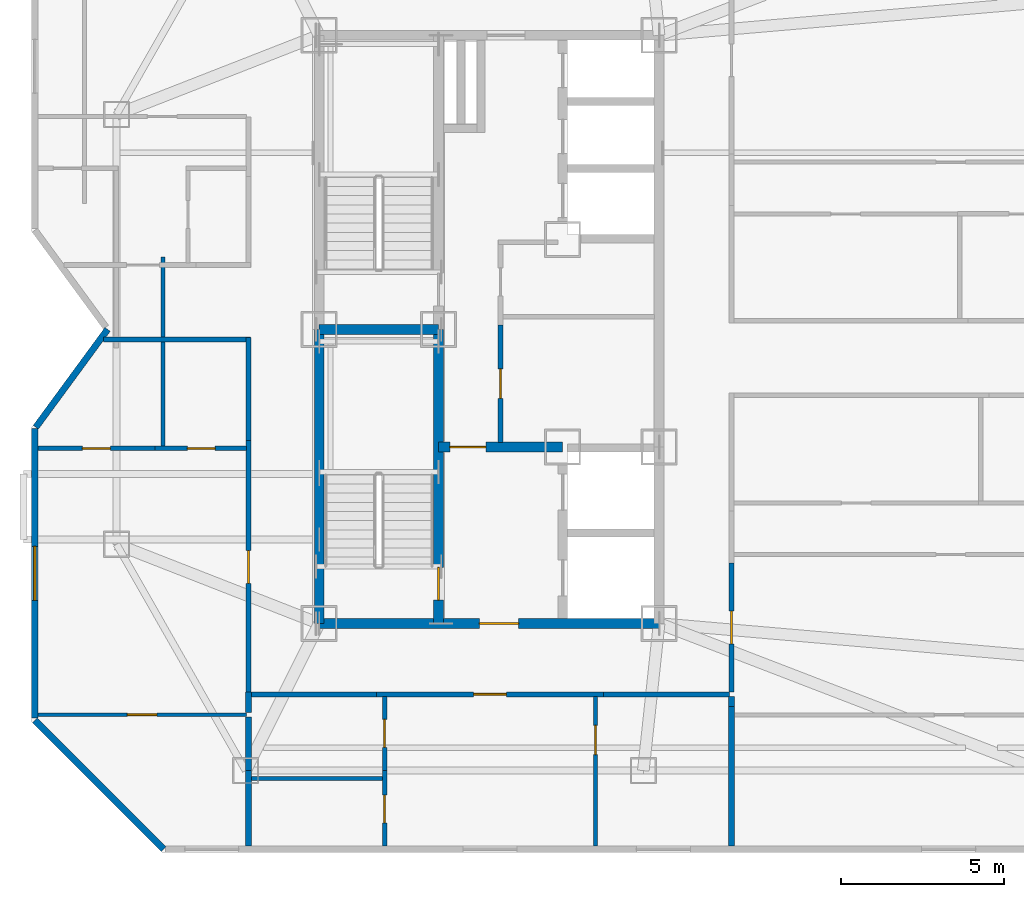
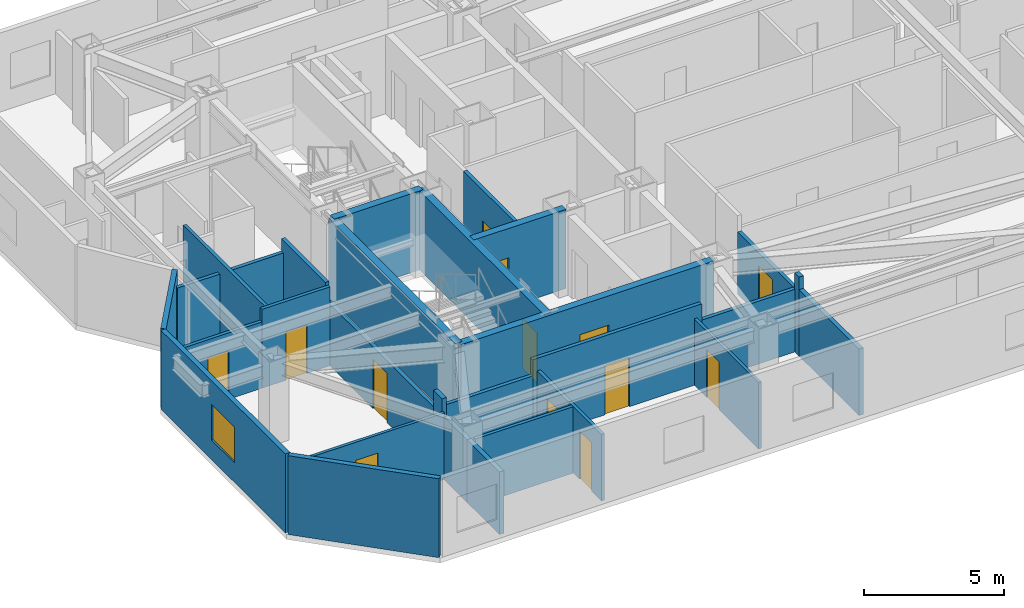
# One storey, part 4 of 9: 29 walls, 13 doors, 1 window, 14 openings.
"""IFC4 building model written with IfcOpenShell, lengths in metres."""

from ifc_helpers import new_model, si_unit, direction, frame, frame_2d, origin, place, context, subcontext, project, spatial, rectangle, extrude, material, layer, layer_set, type_object, element, fill, save


model = new_model("IFC4")

# Units and contexts
model_context = context("Model", 3, precision=1e-05, world=origin(), true_north=direction((0.0, 1.0)))
body_context = subcontext(model_context, "Body", "Model", "MODEL_VIEW")
ifc_project = project(units=[si_unit("LENGTHUNIT", "METRE"), si_unit("AREAUNIT", "SQUARE_METRE"), si_unit("VOLUMEUNIT", "CUBIC_METRE"), si_unit("PLANEANGLEUNIT", "RADIAN"), si_unit("MASSUNIT", "GRAM", prefix="KILO")], contexts=[model_context])

# Site, building, storey
site_placement = place(None, origin())
site = spatial("IfcSite", under=ifc_project, at=site_placement, CompositionType="ELEMENT")
building_placement = place(site_placement, origin())
building = spatial("IfcBuilding", under=site, at=building_placement, Name="Khamvora Tower", CompositionType="ELEMENT")
storey_placement = place(building_placement, frame((0.0, 0.0, 224.5)))
storey = spatial("IfcBuildingStorey", under=building, at=storey_placement, Name="L57", CompositionType="ELEMENT", Elevation=224.5)

# Wall
ifc_material_1 = material(Name="Concrete C50/60", Category="concrete")
ifc_layer_1 = layer(ifc_material_1, 0.300048828125)
ifc_layer_set_1 = layer_set([ifc_layer_1], Name="Concrete C50/60")
wall_type_1 = type_object("IfcWallType", Name="WAL-CORE-300", PredefinedType="SHEAR", material=ifc_layer_set_1)
wall_1_placement = place(storey_placement, frame((29.0, 19.0, 0.0), z_axis=(0.0, 0.0, 1.0), x_axis=(0.0, 1.0, 0.0)))
element("IfcWall", 1, at=wall_1_placement, inside=storey, type_object=wall_type_1, Name="L57 central core west south wall", PredefinedType="SHEAR", context=body_context, shape_type="SweptSolid", body=[
    extrude(rectangle(XDim=9.0, YDim=0.300048828125, at=frame_2d((4.5, 0.0))), origin(), (0.0, 0.0, 1.0), 3.429931640625),
])

# Wall, opening, door
wall_2_placement = place(storey_placement, frame((29.0, 19.0, 0.0), z_axis=(0.0, 0.0, 1.0), x_axis=(1.0, 0.0, 0.0)))
wall_2 = element("IfcWall", 2, at=wall_2_placement, inside=storey, type_object=wall_type_1, Name="L57 central core south wall", PredefinedType="SHEAR", context=body_context, shape_type="SweptSolid", body=[
    extrude(rectangle(XDim=10.39990234375, YDim=0.300048828125, at=frame_2d((5.199951171875, 0.0))), origin(), (0.0, 0.0, 1.0), 3.429931640625),
])
opening_1_placement = place(wall_2_placement, frame((4.89990234375, 0.0, 0.0)))
opening_1 = element("IfcOpeningElement", 3, at=opening_1_placement, cuts=wall_2, Name="Opening D-CR1", PredefinedType="OPENING", context=body_context, shape_type="SweptSolid", body=[
    extrude(rectangle(XDim=1.199951171875, YDim=2.14990234375, at=frame_2d((0.60009765625, 1.074951171875))), frame((0.0, 0.159912109375, 0.0), z_axis=(0.0, -1.0, 0.0), x_axis=(1.0, 0.0, 0.0)), (0.0, 0.0, 1.0), 0.320068359375),
])
ifc_material_2 = material(Name="Powder-Coated Steel and Hardwood Leaf", Category="steel")
door_type_1 = type_object("IfcDoorType", Name="DOR-CORR-1200", OperationType="NOTDEFINED", PredefinedType="DOOR", material=ifc_material_2)
door_1_placement = place(opening_1_placement, origin())
door_1 = element("IfcDoor", 4, at=door_1_placement, inside=storey, type_object=door_type_1, Name="L57 south core lobby to corridor fire door", OperationType="SINGLE_SWING_RIGHT", OverallHeight=2.14990234375, OverallWidth=1.199951171875, PredefinedType="DOOR", context=body_context, shape_type="SweptSolid", body=[
    extrude(rectangle(XDim=1.199951171875, YDim=2.14990234375, at=frame_2d((0.60009765625, 1.074951171875))), frame((0.0, 0.02490234375, 0.0), z_axis=(0.0, -1.0, 0.0), x_axis=(1.0, 0.0, 0.0)), (0.0, 0.0, 1.0), 0.050048828125),
])
fill(opening_1, door_1)

wall_3_placement = place(storey_placement, frame((32.64990234375, 19.0, 0.0), z_axis=(0.0, 0.0, 1.0), x_axis=(0.0, 1.0, 0.0)))
wall_3 = element("IfcWall", 5, at=wall_3_placement, inside=storey, type_object=wall_type_1, Name="L57 central core stair south spine wall", PredefinedType="SHEAR", context=body_context, shape_type="SweptSolid", body=[
    extrude(rectangle(XDim=9.0, YDim=0.300048828125, at=frame_2d((4.5, 0.0))), origin(), (0.0, 0.0, 1.0), 3.429931640625),
])
opening_2_placement = place(wall_3_placement, frame((0.719970703125, 0.0, 0.0)))
opening_2 = element("IfcOpeningElement", 6, at=opening_2_placement, cuts=wall_3, Name="Opening D-ST1", PredefinedType="OPENING", context=body_context, shape_type="SweptSolid", body=[
    extrude(rectangle(XDim=1.0, YDim=2.14990234375, at=frame_2d((0.5, 1.074951171875))), frame((0.0, 0.159912109375, 0.0), z_axis=(0.0, -1.0, 0.0), x_axis=(1.0, 0.0, 0.0)), (0.0, 0.0, 1.0), 0.320068359375),
])
door_type_2 = type_object("IfcDoorType", Name="DOR-STAIR-1000", OperationType="NOTDEFINED", PredefinedType="DOOR", material=ifc_material_2)
door_2_placement = place(opening_2_placement, origin())
door_2 = element("IfcDoor", 7, at=door_2_placement, inside=storey, type_object=door_type_2, Name="L57 exit stair ST-01 fire door", OperationType="SINGLE_SWING_RIGHT", OverallHeight=2.14990234375, OverallWidth=1.0, PredefinedType="DOOR", context=body_context, shape_type="SweptSolid", body=[
    extrude(rectangle(XDim=1.0, YDim=2.14990234375, at=frame_2d((0.5, 1.074951171875))), frame((0.0, 0.02490234375, 0.0), z_axis=(0.0, -1.0, 0.0), x_axis=(1.0, 0.0, 0.0)), (0.0, 0.0, 1.0), 0.050048828125),
])
fill(opening_2, door_2)

# Wall
wall_4_placement = place(storey_placement, frame((29.0, 28.0, 0.0), z_axis=(0.0, 0.0, 1.0), x_axis=(1.0, 0.0, 0.0)))
element("IfcWall", 8, at=wall_4_placement, inside=storey, type_object=wall_type_1, Name="L57 central core stair cross wall", PredefinedType="SHEAR", context=body_context, shape_type="SweptSolid", body=[
    extrude(rectangle(XDim=3.64990234375, YDim=0.300048828125, at=frame_2d((1.824951171875, 0.0))), origin(), (0.0, 0.0, 1.0), 3.429931640625),
])

# Wall, opening, door
wall_5_placement = place(storey_placement, frame((32.64990234375, 24.39990234375, 0.0), z_axis=(0.0, 0.0, 1.0), x_axis=(1.0, 0.0, 0.0)))
wall_5 = element("IfcWall", 9, at=wall_5_placement, inside=storey, type_object=wall_type_1, Name="L57 central core firefighting lobby north wall", PredefinedType="SHEAR", context=body_context, shape_type="SweptSolid", body=[
    extrude(rectangle(XDim=3.800048828125, YDim=0.300048828125, at=frame_2d((1.89990234375, 0.0))), origin(), (0.0, 0.0, 1.0), 3.429931640625),
])
opening_3_placement = place(wall_5_placement, frame((0.35009765625, 0.0, 0.0)))
opening_3 = element("IfcOpeningElement", 10, at=opening_3_placement, cuts=wall_5, Name="Opening D-FF1", PredefinedType="OPENING", context=body_context, shape_type="SweptSolid", body=[
    extrude(rectangle(XDim=1.10009765625, YDim=2.14990234375, at=frame_2d((0.550048828125, 1.074951171875))), frame((0.0, 0.159912109375, 0.0), z_axis=(0.0, -1.0, 0.0), x_axis=(1.0, 0.0, 0.0)), (0.0, 0.0, 1.0), 0.320068359375),
])
door_type_3 = type_object("IfcDoorType", Name="DOR-FFLOB-1100", OperationType="NOTDEFINED", PredefinedType="DOOR", material=ifc_material_2)
door_3_placement = place(opening_3_placement, origin())
door_3 = element("IfcDoor", 11, at=door_3_placement, inside=storey, type_object=door_type_3, Name="L57 firefighting lobby smoke-seal fire door", OperationType="SINGLE_SWING_LEFT", OverallHeight=2.14990234375, OverallWidth=1.10009765625, PredefinedType="DOOR", context=body_context, shape_type="SweptSolid", body=[
    extrude(rectangle(XDim=1.10009765625, YDim=2.14990234375, at=frame_2d((0.550048828125, 1.074951171875))), frame((0.0, 0.02490234375, 0.0), z_axis=(0.0, -1.0, 0.0), x_axis=(1.0, 0.0, 0.0)), (0.0, 0.0, 1.0), 0.050048828125),
])
fill(opening_3, door_3)

ifc_material_3 = material(Name="Fire-Rated Drywall and Steel Stud", Category="steel")
ifc_layer_2 = layer(ifc_material_3, 0.14990234375)
ifc_layer_set_2 = layer_set([ifc_layer_2], Name="Fire-Rated Drywall and Steel Stud")
wall_type_2 = type_object("IfcWallType", Name="WAL-CORR-150", PredefinedType="STANDARD", material=ifc_layer_set_2)
wall_6_placement = place(storey_placement, frame((34.544921875, 28.135986328125, 0.0), z_axis=(0.0, 0.0, 1.0), x_axis=(0.0, -1.0, 0.0)))
wall_6 = element("IfcWall", 12, at=wall_6_placement, inside=storey, type_object=wall_type_2, Name="L57 interior partition wall 003", PredefinedType="STANDARD", context=body_context, shape_type="SweptSolid", body=[
    extrude(rectangle(XDim=3.592041015625, YDim=0.14990234375, at=frame_2d((1.7958984375, 0.0))), origin(), (0.0, 0.0, 1.0), 3.429931640625),
])
opening_4_placement = place(wall_6_placement, frame((1.345947265625, 0.0, 0.0)))
opening_4 = element("IfcOpeningElement", 13, at=opening_4_placement, cuts=wall_6, Name="Opening D-RM1", PredefinedType="OPENING", context=body_context, shape_type="SweptSolid", body=[
    extrude(rectangle(XDim=0.89990234375, YDim=2.10009765625, at=frame_2d((0.449951171875, 1.050048828125))), frame((0.0, 0.0849609375, 0.0), z_axis=(0.0, -1.0, 0.0), x_axis=(1.0, 0.0, 0.0)), (0.0, 0.0, 1.0), 0.169921875),
])
door_type_4 = type_object("IfcDoorType", Name="DOR-ROOM-900", OperationType="NOTDEFINED", PredefinedType="DOOR", material=ifc_material_2)
door_4_placement = place(opening_4_placement, origin())
door_4 = element("IfcDoor", 14, at=door_4_placement, inside=storey, type_object=door_type_4, Name="L57 interior door PHL-CS2", OperationType="SINGLE_SWING_LEFT", OverallHeight=2.10009765625, OverallWidth=0.89990234375, PredefinedType="DOOR", context=body_context, shape_type="SweptSolid", body=[
    extrude(rectangle(XDim=0.89990234375, YDim=2.10009765625, at=frame_2d((0.449951171875, 1.050048828125))), frame((0.0, 0.02490234375, 0.0), z_axis=(0.0, -1.0, 0.0), x_axis=(1.0, 0.0, 0.0)), (0.0, 0.0, 1.0), 0.050048828125),
])
fill(opening_4, door_4)

wall_7_placement = place(storey_placement, frame((26.8349609375, 16.89990234375, 0.0), z_axis=(0.0, 0.0, 1.0), x_axis=(0.0, 1.0, 0.0)))
wall_7 = element("IfcWall", 15, at=wall_7_placement, inside=storey, type_object=wall_type_2, Name="L57 interior partition wall 005", PredefinedType="STANDARD", context=body_context, shape_type="SweptSolid", body=[
    extrude(rectangle(XDim=7.7080078125, YDim=0.14990234375, at=frame_2d((3.85400390625, 0.0))), origin(), (0.0, 0.0, 1.0), 2.68701171875),
])
opening_5_placement = place(wall_7_placement, frame((3.3330078125, 0.0, 0.0)))
opening_5 = element("IfcOpeningElement", 16, at=opening_5_placement, cuts=wall_7, Name="Opening D-U1", PredefinedType="OPENING", context=body_context, shape_type="SweptSolid", body=[
    extrude(rectangle(XDim=1.0, YDim=2.14990234375, at=frame_2d((0.5, 1.074951171875))), frame((0.0, 0.0849609375, 0.0), z_axis=(0.0, -1.0, 0.0), x_axis=(1.0, 0.0, 0.0)), (0.0, 0.0, 1.0), 0.169921875),
])
door_type_5 = type_object("IfcDoorType", Name="DOR-UNIT-1000", OperationType="NOTDEFINED", PredefinedType="DOOR", material=ifc_material_2)
door_5_placement = place(opening_5_placement, origin())
door_5 = element("IfcDoor", 17, at=door_5_placement, inside=storey, type_object=door_type_5, Name="L57 interior door COR-57WAH", OperationType="SINGLE_SWING_RIGHT", OverallHeight=2.14990234375, OverallWidth=1.0, PredefinedType="DOOR", context=body_context, shape_type="SweptSolid", body=[
    extrude(rectangle(XDim=1.0, YDim=2.14990234375, at=frame_2d((0.5, 1.074951171875))), frame((0.0, 0.02490234375, 0.0), z_axis=(0.0, -1.0, 0.0), x_axis=(1.0, 0.0, 0.0)), (0.0, 0.0, 1.0), 0.050048828125),
])
fill(opening_5, door_5)

# Walls
wall_8_placement = place(storey_placement, frame((26.8349609375, 24.60791015625, 0.0), z_axis=(0.0, 0.0, 1.0), x_axis=(0.0, 1.0, 0.0)))
element("IfcWall", 18, at=wall_8_placement, inside=storey, type_object=wall_type_2, Name="L57 interior partition wall 006", PredefinedType="STANDARD", context=body_context, shape_type="SweptSolid", body=[
    extrude(rectangle(XDim=3.14208984375, YDim=0.14990234375, at=frame_2d((1.571044921875, 0.0))), origin(), (0.0, 0.0, 1.0), 3.429931640625),
])
wall_9_placement = place(storey_placement, frame((26.89794921875, 27.68505859375, 0.0), z_axis=(0.0, 0.0, 1.0), x_axis=(-1.0, 0.0, 0.0)))
element("IfcWall", 19, at=wall_9_placement, inside=storey, type_object=wall_type_2, Name="L57 interior partition wall 007", PredefinedType="STANDARD", context=body_context, shape_type="SweptSolid", body=[
    extrude(rectangle(XDim=4.490966796875, YDim=0.14990234375, at=frame_2d((2.24560546875, 0.0))), origin(), (0.0, 0.0, 1.0), 2.886962890625),
])

# Wall, opening, door
wall_10_placement = place(storey_placement, frame((37.698974609375, 16.8349609375, 0.0), z_axis=(0.0, 0.0, 1.0), x_axis=(-1.0, 0.0, 0.0)))
wall_10 = element("IfcWall", 20, at=wall_10_placement, inside=storey, type_object=wall_type_2, Name="L57 interior partition wall 012", PredefinedType="STANDARD", context=body_context, shape_type="SweptSolid", body=[
    extrude(rectangle(XDim=6.947998046875, YDim=0.14990234375, at=frame_2d((3.47412109375, 0.0))), origin(), (0.0, 0.0, 1.0), 3.429931640625),
])
opening_6_placement = place(wall_10_placement, frame((2.97412109375, 0.0, 0.0)))
opening_6 = element("IfcOpeningElement", 21, at=opening_6_placement, cuts=wall_10, Name="Opening D-U1", PredefinedType="OPENING", context=body_context, shape_type="SweptSolid", body=[
    extrude(rectangle(XDim=1.0, YDim=2.14990234375, at=frame_2d((0.5, 1.074951171875))), frame((0.0, 0.0849609375, 0.0), z_axis=(0.0, -1.0, 0.0), x_axis=(1.0, 0.0, 0.0)), (0.0, 0.0, 1.0), 0.169921875),
])
door_6_placement = place(opening_6_placement, origin())
door_6 = element("IfcDoor", 22, at=door_6_placement, inside=storey, type_object=door_type_5, Name="L57 interior door COR-57SAH", OperationType="SINGLE_SWING_LEFT", OverallHeight=2.14990234375, OverallWidth=1.0, PredefinedType="DOOR", context=body_context, shape_type="SweptSolid", body=[
    extrude(rectangle(XDim=1.0, YDim=2.14990234375, at=frame_2d((0.5, 1.074951171875))), frame((0.0, 0.02490234375, 0.0), z_axis=(0.0, -1.0, 0.0), x_axis=(1.0, 0.0, 0.0)), (0.0, 0.0, 1.0), 0.050048828125),
])
fill(opening_6, door_6)

# Walls
for number, where, z_axis, x_axis, name in (
    (23, (30.7509765625, 16.8349609375, 0.0), (0.0, 0.0, 1.0), (-1.0, 0.0, 0.0), "L57 interior partition wall 013"),
    (24, (41.550048828125, 16.8349609375, 0.0), (0.0, 0.0, 1.0), (-1.0, 0.0, 0.0), "L57 interior partition wall 014"),
):
    element("IfcWall", number, at=place(storey_placement, frame(where, z_axis=z_axis, x_axis=x_axis)), inside=storey, type_object=wall_type_2, Name=name, PredefinedType="STANDARD", context=body_context, shape_type="SweptSolid", body=[
        extrude(rectangle(XDim=3.85107421875, YDim=0.14990234375, at=frame_2d((1.925537109375, 0.0))), origin(), (0.0, 0.0, 1.0), 2.72509765625),
    ])

# Wall, opening, door
wall_11_placement = place(storey_placement, frame((41.614990234375, 20.860107421875, 0.0), z_axis=(0.0, 0.0, 1.0), x_axis=(0.0, -1.0, 0.0)))
wall_11 = element("IfcWall", 25, at=wall_11_placement, inside=storey, type_object=wall_type_2, Name="L57 interior partition wall 025", PredefinedType="STANDARD", context=body_context, shape_type="SweptSolid", body=[
    extrude(rectangle(XDim=3.960205078125, YDim=0.14990234375, at=frame_2d((1.97998046875, 0.0))), origin(), (0.0, 0.0, 1.0), 2.72509765625),
])
opening_7_placement = place(wall_11_placement, frame((1.47998046875, 0.0, 0.0)))
opening_7 = element("IfcOpeningElement", 26, at=opening_7_placement, cuts=wall_11, Name="Opening D-U1", PredefinedType="OPENING", context=body_context, shape_type="SweptSolid", body=[
    extrude(rectangle(XDim=1.0, YDim=2.14990234375, at=frame_2d((0.5, 1.074951171875))), frame((0.0, 0.0849609375, 0.0), z_axis=(0.0, -1.0, 0.0), x_axis=(1.0, 0.0, 0.0)), (0.0, 0.0, 1.0), 0.169921875),
])
door_7_placement = place(opening_7_placement, origin())
door_7 = element("IfcDoor", 27, at=door_7_placement, inside=storey, type_object=door_type_5, Name="L57 interior door COR-57EAR2", OperationType="SINGLE_SWING_RIGHT", OverallHeight=2.14990234375, OverallWidth=1.0, PredefinedType="DOOR", context=body_context, shape_type="SweptSolid", body=[
    extrude(rectangle(XDim=1.0, YDim=2.14990234375, at=frame_2d((0.5, 1.074951171875))), frame((0.0, 0.02490234375, 0.0), z_axis=(0.0, -1.0, 0.0), x_axis=(1.0, 0.0, 0.0)), (0.0, 0.0, 1.0), 0.050048828125),
])
fill(opening_7, door_7)

# Walls
ifc_material_4 = material(Name="Acoustic Double-Stud Fire Wall", Category="gypsum")
ifc_layer_3 = layer(ifc_material_4, 0.179931640625)
ifc_layer_set_3 = layer_set([ifc_layer_3], Name="Acoustic Double-Stud Fire Wall")
wall_type_3 = type_object("IfcWallType", Name="WAL-CORR-180", PredefinedType="STANDARD", material=ifc_layer_set_3)
wall_12_placement = place(storey_placement, frame((26.8349609375, 16.89990234375, 0.0), z_axis=(0.0, 0.0, 1.0), x_axis=(0.0, -1.0, 0.0)))
element("IfcWall", 28, at=wall_12_placement, inside=storey, type_object=wall_type_3, Name="L57 interior partition wall 037", PredefinedType="STANDARD", context=body_context, shape_type="SweptSolid", body=[
    extrude(rectangle(XDim=0.625, YDim=0.179931640625, at=frame_2d((0.3125, 0.0))), origin(), (0.0, 0.0, 1.0), 3.429931640625),
])
wall_13_placement = place(storey_placement, frame((26.8349609375, 14.509033203125, 0.0), z_axis=(0.0, 0.0, 1.0), x_axis=(0.0, -1.0, 0.0)))
element("IfcWall", 29, at=wall_13_placement, inside=storey, type_object=wall_type_3, Name="L57 interior partition wall 039", PredefinedType="STANDARD", context=body_context, shape_type="SweptSolid", body=[
    extrude(rectangle(XDim=2.317138671875, YDim=0.179931640625, at=frame_2d((1.15869140625, 0.0))), origin(), (0.0, 0.0, 1.0), 2.72509765625),
])
wall_14_placement = place(storey_placement, frame((26.8349609375, 16.14501953125, 0.0), z_axis=(0.0, 0.0, 1.0), x_axis=(0.0, -1.0, 0.0)))
element("IfcWall", 30, at=wall_14_placement, inside=storey, type_object=wall_type_3, Name="L57 interior partition wall 040", PredefinedType="STANDARD", context=body_context, shape_type="SweptSolid", body=[
    extrude(rectangle(XDim=1.635986328125, YDim=0.179931640625, at=frame_2d((0.81787109375, 0.0))), origin(), (0.0, 0.0, 1.0), 2.72509765625),
])
wall_15_placement = place(storey_placement, frame((41.614990234375, 16.45703125, 0.0), z_axis=(0.0, 0.0, 1.0), x_axis=(0.0, -1.0, 0.0)))
element("IfcWall", 31, at=wall_15_placement, inside=storey, type_object=wall_type_3, Name="L57 interior partition wall 053", PredefinedType="STANDARD", context=body_context, shape_type="SweptSolid", body=[
    extrude(rectangle(XDim=4.26513671875, YDim=0.179931640625, at=frame_2d((2.132568359375, 0.0))), origin(), (0.0, 0.0, 1.0), 2.886962890625),
])
wall_16_placement = place(storey_placement, frame((41.614990234375, 16.77001953125, 0.0), z_axis=(0.0, 0.0, 1.0), x_axis=(0.0, -1.0, 0.0)))
element("IfcWall", 32, at=wall_16_placement, inside=storey, type_object=wall_type_3, Name="L57 interior partition wall 054", PredefinedType="STANDARD", context=body_context, shape_type="SweptSolid", body=[
    extrude(rectangle(XDim=0.31298828125, YDim=0.179931640625, at=frame_2d((0.156494140625, 0.0))), origin(), (0.0, 0.0, 1.0), 3.429931640625),
])
ifc_material_5 = material(Name="Precast concrete C40/50", Category="concrete")
ifc_layer_4 = layer(ifc_material_5, 0.199951171875)
ifc_layer_set_4 = layer_set([ifc_layer_4], Name="Precast concrete C40/50")
wall_type_4 = type_object("IfcWallType", Name="WAL-EXT-200", PredefinedType="STANDARD", material=ifc_layer_set_4)
wall_17_placement = place(storey_placement, frame((24.240966796875, 12.10009765625, 0.0), z_axis=(0.0, 0.0, 1.0), x_axis=(-0.707106781187, 0.707106781187, 0.0)))
element("IfcWall", 33, at=wall_17_placement, inside=storey, type_object=wall_type_4, Name="L57 exterior facade wall 01.1", PredefinedType="STANDARD", context=body_context, shape_type="SweptSolid", body=[
    extrude(rectangle(XDim=5.5732421875, YDim=0.199951171875, at=frame_2d((2.78662109375, 0.0))), origin(), (0.0, 0.0, 1.0), 3.429931640625),
])

# Wall, opening, window
wall_18_placement = place(storey_placement, frame((20.300048828125, 16.10400390625, 0.0), z_axis=(0.0, 0.0, 1.0), x_axis=(0.0, 1.0, 0.0)))
wall_18 = element("IfcWall", 34, at=wall_18_placement, inside=storey, type_object=wall_type_4, Name="L57 exterior facade wall 02.1", PredefinedType="STANDARD", context=body_context, shape_type="SweptSolid", body=[
    extrude(rectangle(XDim=8.863037109375, YDim=0.199951171875, at=frame_2d((4.431640625, 0.0))), origin(), (0.0, 0.0, 1.0), 3.429931640625),
])
opening_8_placement = place(wall_18_placement, frame((3.60595703125, 0.0, 0.85009765625)))
opening_8 = element("IfcOpeningElement", 35, at=opening_8_placement, cuts=wall_18, Name="Opening WN-06", PredefinedType="OPENING", context=body_context, shape_type="SweptSolid", body=[
    extrude(rectangle(XDim=1.64990234375, YDim=1.550048828125, at=frame_2d((0.824951171875, 0.77490234375))), frame((0.0, 0.10986328125, 0.0), z_axis=(0.0, -1.0, 0.0), x_axis=(1.0, 0.0, 0.0)), (0.0, 0.0, 1.0), 0.219970703125),
])
ifc_material_6 = material(Name="Low-E Laminated Double Glazing", Category="glass")
window_type = type_object("IfcWindowType", Name="WIN-VIS-1650x1550", PartitioningType="SINGLE_PANEL", PredefinedType="WINDOW", material=ifc_material_6)
window_placement = place(opening_8_placement, origin())
window = element("IfcWindow", 36, at=window_placement, inside=storey, type_object=window_type, Name="L57 vision window 02.1.01", OverallHeight=1.550048828125, OverallWidth=1.64990234375, PartitioningType="SINGLE_PANEL", PredefinedType="WINDOW", context=body_context, shape_type="SweptSolid", body=[
    extrude(rectangle(XDim=1.64990234375, YDim=1.550048828125, at=frame_2d((0.824951171875, 0.77490234375))), frame((0.0, 0.030029296875, 0.0), z_axis=(0.0, -1.0, 0.0), x_axis=(1.0, 0.0, 0.0)), (0.0, 0.0, 1.0), 0.06005859375),
])
fill(opening_8, window)

# Wall
wall_19_placement = place(storey_placement, frame((20.3291015625, 25.007080078125, 0.0), z_axis=(0.0, 0.0, 1.0), x_axis=(0.591366515379, 0.806402904564, 0.0)))
element("IfcWall", 37, at=wall_19_placement, inside=storey, type_object=wall_type_4, Name="L57 exterior facade wall 03.1", PredefinedType="STANDARD", context=body_context, shape_type="SweptSolid", body=[
    extrude(rectangle(XDim=3.71142578125, YDim=0.199951171875, at=frame_2d((1.855712890625, 0.0))), origin(), (0.0, 0.0, 1.0), 3.429931640625),
])

# Wall, opening, door
ifc_material_7 = material(Name="Gypsum Plasterboard Partition", Category="gypsum")
ifc_layer_5 = layer(ifc_material_7, 0.1201171875)
ifc_layer_set_5 = layer_set([ifc_layer_5], Name="Gypsum Plasterboard Partition")
wall_type_5 = type_object("IfcWallType", Name="WAL-PART-120", PredefinedType="PARTITIONING", material=ifc_layer_set_5)
wall_20_placement = place(storey_placement, frame((26.77001953125, 16.2099609375, 0.0), z_axis=(0.0, 0.0, 1.0), x_axis=(-1.0, 0.0, 0.0)))
wall_20 = element("IfcWall", 38, at=wall_20_placement, inside=storey, type_object=wall_type_5, Name="L57 interior partition wall 036", PredefinedType="PARTITIONING", context=body_context, shape_type="SweptSolid", body=[
    extrude(rectangle(XDim=6.3779296875, YDim=0.1201171875, at=frame_2d((3.18896484375, 0.0))), origin(), (0.0, 0.0, 1.0), 2.886962890625),
])
opening_9_placement = place(wall_20_placement, frame((2.739013671875, 0.0, 0.0)))
opening_9 = element("IfcOpeningElement", 39, at=opening_9_placement, cuts=wall_20, Name="Opening D-RM1", PredefinedType="OPENING", context=body_context, shape_type="SweptSolid", body=[
    extrude(rectangle(XDim=0.89990234375, YDim=2.10009765625, at=frame_2d((0.449951171875, 1.050048828125))), frame((0.0, 0.070068359375, 0.0), z_axis=(0.0, -1.0, 0.0), x_axis=(1.0, 0.0, 0.0)), (0.0, 0.0, 1.0), 0.14013671875),
])
door_8_placement = place(opening_9_placement, origin())
door_8 = element("IfcDoor", 40, at=door_8_placement, inside=storey, type_object=door_type_4, Name="L57 interior door 57WAH-57WAR1", OperationType="SINGLE_SWING_LEFT", OverallHeight=2.10009765625, OverallWidth=0.89990234375, PredefinedType="DOOR", context=body_context, shape_type="SweptSolid", body=[
    extrude(rectangle(XDim=0.89990234375, YDim=2.10009765625, at=frame_2d((0.449951171875, 1.050048828125))), frame((0.0, 0.02490234375, 0.0), z_axis=(0.0, -1.0, 0.0), x_axis=(1.0, 0.0, 0.0)), (0.0, 0.0, 1.0), 0.050048828125),
])
fill(opening_9, door_8)

wall_21_placement = place(storey_placement, frame((37.449951171875, 16.77001953125, 0.0), z_axis=(0.0, 0.0, 1.0), x_axis=(0.0, -1.0, 0.0)))
wall_21 = element("IfcWall", 41, at=wall_21_placement, inside=storey, type_object=wall_type_5, Name="L57 interior partition wall 051", PredefinedType="PARTITIONING", context=body_context, shape_type="SweptSolid", body=[
    extrude(rectangle(XDim=4.578125, YDim=0.1201171875, at=frame_2d((2.2890625, 0.0))), origin(), (0.0, 0.0, 1.0), 2.886962890625),
])
opening_10_placement = place(wall_21_placement, frame((0.884033203125, 0.0, 0.0)))
opening_10 = element("IfcOpeningElement", 42, at=opening_10_placement, cuts=wall_21, Name="Opening D-RM1", PredefinedType="OPENING", context=body_context, shape_type="SweptSolid", body=[
    extrude(rectangle(XDim=0.89990234375, YDim=2.10009765625, at=frame_2d((0.449951171875, 1.050048828125))), frame((0.0, 0.070068359375, 0.0), z_axis=(0.0, -1.0, 0.0), x_axis=(1.0, 0.0, 0.0)), (0.0, 0.0, 1.0), 0.14013671875),
])
door_9_placement = place(opening_10_placement, origin())
door_9 = element("IfcDoor", 43, at=door_9_placement, inside=storey, type_object=door_type_4, Name="L57 interior door 57SAH-57SAR1", OperationType="SINGLE_SWING_RIGHT", OverallHeight=2.10009765625, OverallWidth=0.89990234375, PredefinedType="DOOR", context=body_context, shape_type="SweptSolid", body=[
    extrude(rectangle(XDim=0.89990234375, YDim=2.10009765625, at=frame_2d((0.449951171875, 1.050048828125))), frame((0.0, 0.02490234375, 0.0), z_axis=(0.0, -1.0, 0.0), x_axis=(1.0, 0.0, 0.0)), (0.0, 0.0, 1.0), 0.050048828125),
])
fill(opening_10, door_9)

ifc_material_8 = material(Name="Moisture-Resistant Plasterboard Partition", Category="gypsum")
ifc_layer_6 = layer(ifc_material_8, 0.135009765625)
ifc_layer_set_6 = layer_set([ifc_layer_6], Name="Moisture-Resistant Plasterboard Partition")
wall_type_6 = type_object("IfcWallType", Name="WAL-WET-135", PredefinedType="PARTITIONING", material=ifc_layer_set_6)
wall_22_placement = place(storey_placement, frame((23.970947265625, 24.35888671875, 0.0), z_axis=(0.0, 0.0, 1.0), x_axis=(1.0, 0.0, 0.0)))
wall_22 = element("IfcWall", 44, at=wall_22_placement, inside=storey, type_object=wall_type_6, Name="L57 interior partition wall 034", PredefinedType="PARTITIONING", context=body_context, shape_type="SweptSolid", body=[
    extrude(rectangle(XDim=2.799072265625, YDim=0.135009765625, at=frame_2d((1.3994140625, 0.0))), origin(), (0.0, 0.0, 1.0), 3.429931640625),
])
opening_11_placement = place(wall_22_placement, frame((0.9951171875, 0.0, 0.0)))
opening_11 = element("IfcOpeningElement", 45, at=opening_11_placement, cuts=wall_22, Name="Opening D-WC1", PredefinedType="OPENING", context=body_context, shape_type="SweptSolid", body=[
    extrude(rectangle(XDim=0.85009765625, YDim=2.10009765625, at=frame_2d((0.425048828125, 1.050048828125))), frame((0.0, 0.077392578125, 0.0), z_axis=(0.0, -1.0, 0.0), x_axis=(1.0, 0.0, 0.0)), (0.0, 0.0, 1.0), 0.155029296875),
])
door_type_6 = type_object("IfcDoorType", Name="DOR-WET-850", OperationType="NOTDEFINED", PredefinedType="DOOR", material=ifc_material_2)
door_10_placement = place(opening_11_placement, origin())
door_10 = element("IfcDoor", 46, at=door_10_placement, inside=storey, type_object=door_type_6, Name="L57 interior door 57WAH-57WAB", OperationType="SINGLE_SWING_LEFT", OverallHeight=2.10009765625, OverallWidth=0.85009765625, PredefinedType="DOOR", context=body_context, shape_type="SweptSolid", body=[
    extrude(rectangle(XDim=0.85009765625, YDim=2.10009765625, at=frame_2d((0.425048828125, 1.050048828125))), frame((0.0, 0.02490234375, 0.0), z_axis=(0.0, -1.0, 0.0), x_axis=(1.0, 0.0, 0.0)), (0.0, 0.0, 1.0), 0.050048828125),
])
fill(opening_11, door_10)

wall_23_placement = place(storey_placement, frame((20.39208984375, 24.35888671875, 0.0), z_axis=(0.0, 0.0, 1.0), x_axis=(1.0, 0.0, 0.0)))
wall_23 = element("IfcWall", 47, at=wall_23_placement, inside=storey, type_object=wall_type_6, Name="L57 interior partition wall 035", PredefinedType="PARTITIONING", context=body_context, shape_type="SweptSolid", body=[
    extrude(rectangle(XDim=3.578857421875, YDim=0.135009765625, at=frame_2d((1.78955078125, 0.0))), origin(), (0.0, 0.0, 1.0), 2.886962890625),
])
opening_12_placement = place(wall_23_placement, frame((1.364990234375, 0.0, 0.0)))
opening_12 = element("IfcOpeningElement", 48, at=opening_12_placement, cuts=wall_23, Name="Opening D-RM2", PredefinedType="OPENING", context=body_context, shape_type="SweptSolid", body=[
    extrude(rectangle(XDim=0.85009765625, YDim=2.10009765625, at=frame_2d((0.425048828125, 1.050048828125))), frame((0.0, 0.077392578125, 0.0), z_axis=(0.0, -1.0, 0.0), x_axis=(1.0, 0.0, 0.0)), (0.0, 0.0, 1.0), 0.155029296875),
])
door_type_7 = type_object("IfcDoorType", Name="DOR-ROOM-850", OperationType="NOTDEFINED", PredefinedType="DOOR", material=ifc_material_2)
door_11_placement = place(opening_12_placement, origin())
door_11 = element("IfcDoor", 49, at=door_11_placement, inside=storey, type_object=door_type_7, Name="L57 interior door 57WAH-57WAK", OperationType="SINGLE_SWING_RIGHT", OverallHeight=2.10009765625, OverallWidth=0.85009765625, PredefinedType="DOOR", context=body_context, shape_type="SweptSolid", body=[
    extrude(rectangle(XDim=0.85009765625, YDim=2.10009765625, at=frame_2d((0.425048828125, 1.050048828125))), frame((0.0, 0.02490234375, 0.0), z_axis=(0.0, -1.0, 0.0), x_axis=(1.0, 0.0, 0.0)), (0.0, 0.0, 1.0), 0.050048828125),
])
fill(opening_12, door_11)

# Wall
wall_24_placement = place(storey_placement, frame((24.219970703125, 24.4208984375, 0.0), z_axis=(0.0, 0.0, 1.0), x_axis=(0.0, 1.0, 0.0)))
element("IfcWall", 50, at=wall_24_placement, inside=storey, type_object=wall_type_6, Name="L57 interior partition wall 038", PredefinedType="PARTITIONING", context=body_context, shape_type="SweptSolid", body=[
    extrude(rectangle(XDim=5.799072265625, YDim=0.135009765625, at=frame_2d((2.8994140625, 0.0))), origin(), (0.0, 0.0, 1.0), 3.429931640625),
])

# Wall, opening, door
wall_25_placement = place(storey_placement, frame((31.0, 12.19189453125, 0.0), z_axis=(0.0, 0.0, 1.0), x_axis=(0.0, 1.0, 0.0)))
wall_25 = element("IfcWall", 51, at=wall_25_placement, inside=storey, type_object=wall_type_6, Name="L57 interior partition wall 049", PredefinedType="PARTITIONING", context=body_context, shape_type="SweptSolid", body=[
    extrude(rectangle(XDim=2.317138671875, YDim=0.135009765625, at=frame_2d((1.15869140625, 0.0))), origin(), (0.0, 0.0, 1.0), 2.886962890625),
])
opening_13_placement = place(wall_25_placement, frame((0.7119140625, 0.0, 0.0)))
opening_13 = element("IfcOpeningElement", 52, at=opening_13_placement, cuts=wall_25, Name="Opening D-WC1", PredefinedType="OPENING", context=body_context, shape_type="SweptSolid", body=[
    extrude(rectangle(XDim=0.85009765625, YDim=2.10009765625, at=frame_2d((0.425048828125, 1.050048828125))), frame((0.0, 0.077392578125, 0.0), z_axis=(0.0, -1.0, 0.0), x_axis=(1.0, 0.0, 0.0)), (0.0, 0.0, 1.0), 0.155029296875),
])
door_12_placement = place(opening_13_placement, origin())
door_12 = element("IfcDoor", 53, at=door_12_placement, inside=storey, type_object=door_type_6, Name="L57 interior door 57SAH-57SAB", OperationType="SINGLE_SWING_LEFT", OverallHeight=2.10009765625, OverallWidth=0.85009765625, PredefinedType="DOOR", context=body_context, shape_type="SweptSolid", body=[
    extrude(rectangle(XDim=0.85009765625, YDim=2.10009765625, at=frame_2d((0.425048828125, 1.050048828125))), frame((0.0, 0.02490234375, 0.0), z_axis=(0.0, -1.0, 0.0), x_axis=(1.0, 0.0, 0.0)), (0.0, 0.0, 1.0), 0.050048828125),
])
fill(opening_13, door_12)

wall_26_placement = place(storey_placement, frame((31.0, 14.509033203125, 0.0), z_axis=(0.0, 0.0, 1.0), x_axis=(0.0, 1.0, 0.0)))
wall_26 = element("IfcWall", 54, at=wall_26_placement, inside=storey, type_object=wall_type_6, Name="L57 interior partition wall 050", PredefinedType="PARTITIONING", context=body_context, shape_type="SweptSolid", body=[
    extrude(rectangle(XDim=2.260986328125, YDim=0.135009765625, at=frame_2d((1.13037109375, 0.0))), origin(), (0.0, 0.0, 1.0), 2.886962890625),
])
opening_14_placement = place(wall_26_placement, frame((0.7060546875, 0.0, 0.0)))
opening_14 = element("IfcOpeningElement", 55, at=opening_14_placement, cuts=wall_26, Name="Opening D-RM2", PredefinedType="OPENING", context=body_context, shape_type="SweptSolid", body=[
    extrude(rectangle(XDim=0.85009765625, YDim=2.10009765625, at=frame_2d((0.425048828125, 1.050048828125))), frame((0.0, 0.077392578125, 0.0), z_axis=(0.0, -1.0, 0.0), x_axis=(1.0, 0.0, 0.0)), (0.0, 0.0, 1.0), 0.155029296875),
])
door_13_placement = place(opening_14_placement, origin())
door_13 = element("IfcDoor", 56, at=door_13_placement, inside=storey, type_object=door_type_7, Name="L57 interior door 57SAH-57SAK", OperationType="SINGLE_SWING_RIGHT", OverallHeight=2.10009765625, OverallWidth=0.85009765625, PredefinedType="DOOR", context=body_context, shape_type="SweptSolid", body=[
    extrude(rectangle(XDim=0.85009765625, YDim=2.10009765625, at=frame_2d((0.425048828125, 1.050048828125))), frame((0.0, 0.02490234375, 0.0), z_axis=(0.0, -1.0, 0.0), x_axis=(1.0, 0.0, 0.0)), (0.0, 0.0, 1.0), 0.050048828125),
])
fill(opening_14, door_13)

# Wall
wall_27_placement = place(storey_placement, frame((26.9169921875, 14.260009765625, 0.0), z_axis=(0.0, 0.0, 1.0), x_axis=(1.0, 0.0, 0.0)))
element("IfcWall", 57, at=wall_27_placement, inside=storey, type_object=wall_type_6, Name="L57 interior partition wall 052", PredefinedType="PARTITIONING", context=body_context, shape_type="SweptSolid", body=[
    extrude(rectangle(XDim=4.02197265625, YDim=0.135009765625, at=frame_2d((2.010986328125, 0.0))), origin(), (0.0, 0.0, 1.0), 2.886962890625),
])

save(model, "model.ifc")
